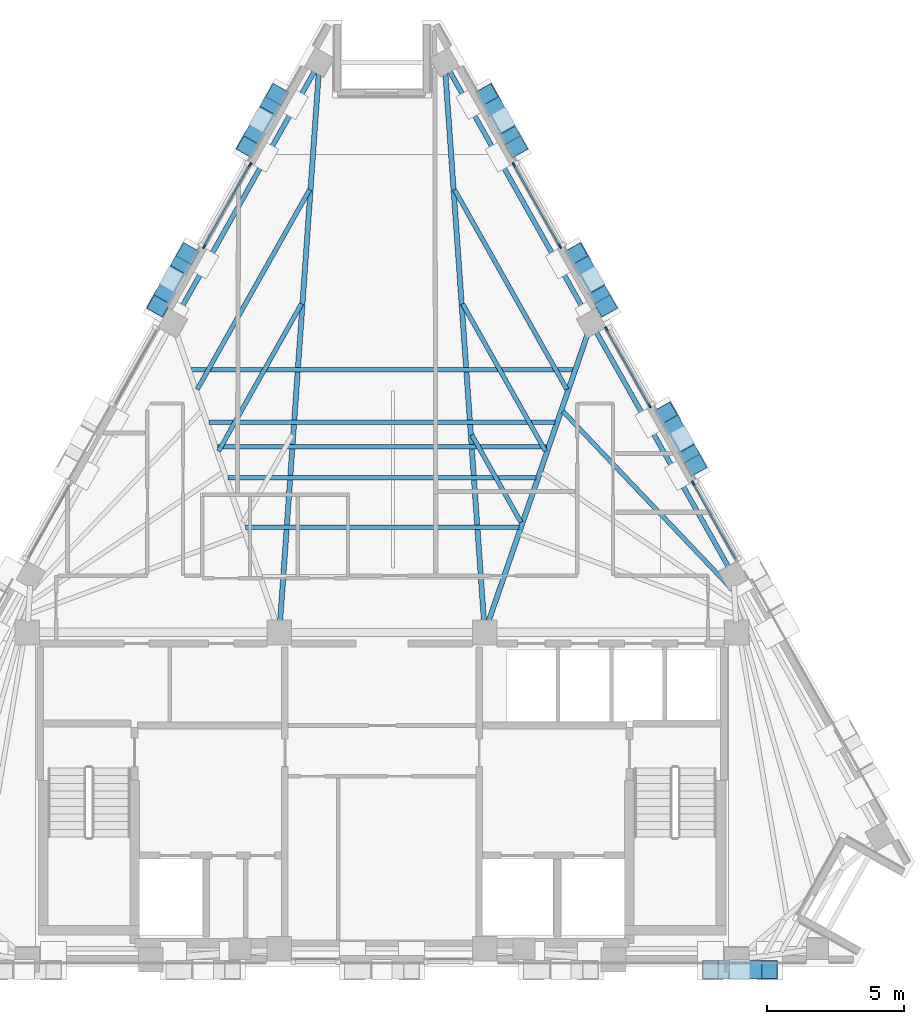
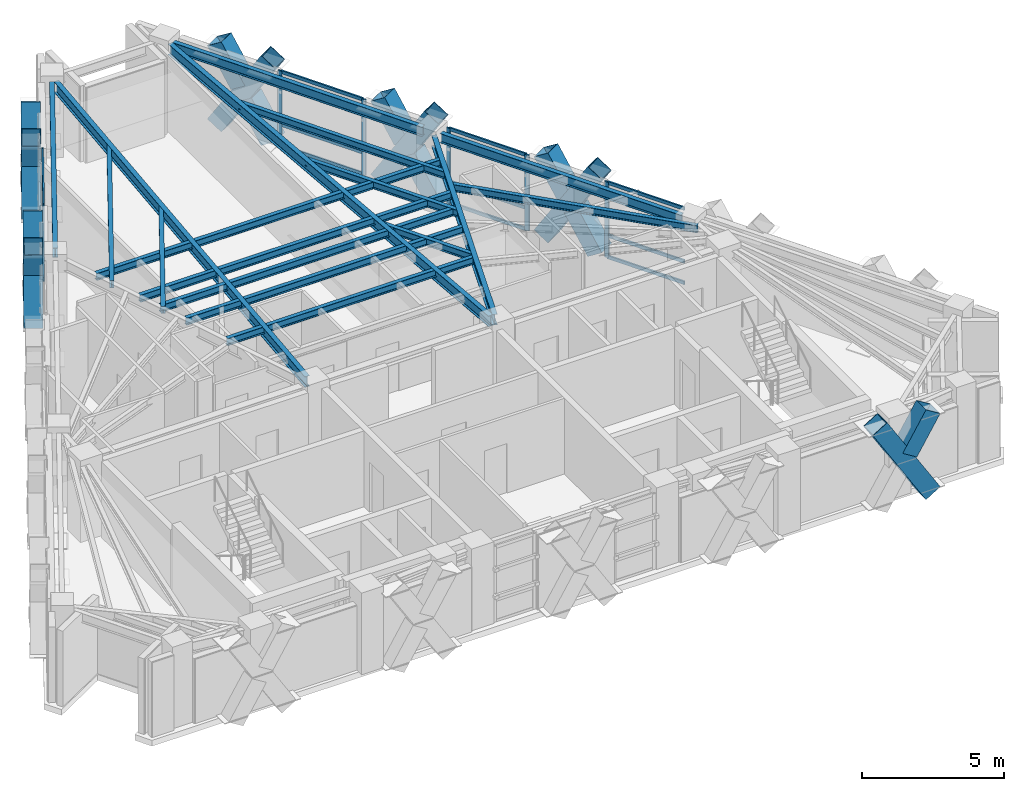
# One storey, part 4 of 11: 36 members, 17 beams, 4 elements without a shape of their own.
"""IFC4 building model written with IfcOpenShell, lengths in metres."""

from ifc_helpers import new_model, si_unit, direction, frame, origin, origin_2d, place, context, subcontext, project, spatial, rectangle, hollow_rectangle, i_section, extrude, material, material_profile, profile_set, type_object, element, aggregate, save


model = new_model("IFC4")

# Units and contexts
model_context = context("Model", 3, precision=1e-05, world=origin(), true_north=direction((0.0, 1.0)))
body_context = subcontext(model_context, "Body", "Model", "MODEL_VIEW")
ifc_project = project(units=[si_unit("LENGTHUNIT", "METRE"), si_unit("AREAUNIT", "SQUARE_METRE"), si_unit("VOLUMEUNIT", "CUBIC_METRE"), si_unit("PLANEANGLEUNIT", "RADIAN"), si_unit("MASSUNIT", "GRAM", prefix="KILO")], contexts=[model_context])

# Site, building, storey
site_placement = place(None, origin())
site = spatial("IfcSite", under=ifc_project, at=site_placement, CompositionType="ELEMENT")
building_placement = place(site_placement, origin())
building = spatial("IfcBuilding", under=site, at=building_placement, Name="Quenlor Broadcast Tower", CompositionType="ELEMENT")
storey_placement = place(building_placement, frame((0.0, 0.0, 263.89990234375)))
storey = spatial("IfcBuildingStorey", under=building, at=storey_placement, Name="L73", CompositionType="ELEMENT", Elevation=263.89990234375)

# Curtain wall, members
ifc_material_1 = material(Name="Architectural Terracotta and Low-E Glazing", Category="masonry")
curtain_wall_type = type_object("IfcCurtainWallType", Name="Unitised Terracotta Curtain Wall System Z5", PredefinedType="NOTDEFINED", material=ifc_material_1)
curtain_wall_1_placement = place(storey_placement, origin())
curtain_wall_1 = element("IfcCurtainWall", 1, at=curtain_wall_1_placement, inside=storey, type_object=curtain_wall_type, Name="L73 Curtain Wall CW5 (L73-NEA-G1)", PredefinedType="NOTDEFINED")
ifc_material_2 = material(Name="Aluminium 6063-T6", Category="aluminium")
ifc_material_profile_1 = material_profile(ifc_material_2, rectangle(XDim=0.06494140625, YDim=0.169921875, at=origin_2d()))
ifc_profile_set_1 = profile_set([ifc_material_profile_1], Name="Aluminium 6063-T6 MULL65x170")
member_type_1 = type_object("IfcMemberType", Name="CW5 Aluminium Mullion MULL_CW5", PredefinedType="MULLION", material=ifc_profile_set_1)
member_1_placement = place(storey_placement, frame((4.81787109375, 12.274169921875, 0.0), z_axis=(0.0, 0.0, 1.0), x_axis=(0.871581670563, 0.490250335582, 0.0)))
member_1 = element("IfcMember", 2, at=member_1_placement, type_object=member_type_1, Name="CW5 mullion 1", PredefinedType="MULLION", context=body_context, shape_type="SweptSolid", body=[
    extrude(rectangle(XDim=0.06494140625, YDim=0.169921875, at=origin_2d()), origin(), (0.0, 0.0, 1.0), 3.25),
])
member_2_placement = place(storey_placement, frame((6.49365234375, 9.294677734375, 0.0), z_axis=(0.0, 0.0, 1.0), x_axis=(0.871581670563, 0.490250335582, 0.0)))
member_2 = element("IfcMember", 3, at=member_2_placement, type_object=member_type_1, Name="CW5 mullion 2", PredefinedType="MULLION", context=body_context, shape_type="SweptSolid", body=[
    extrude(rectangle(XDim=0.06494140625, YDim=0.169921875, at=origin_2d()), origin(), (0.0, 0.0, 1.0), 3.25),
])

curtain_wall_2_placement = place(storey_placement, origin())
curtain_wall_2 = element("IfcCurtainWall", 4, at=curtain_wall_2_placement, inside=storey, type_object=curtain_wall_type, Name="L73 Curtain Wall CW5 (L73-NE-G1)", PredefinedType="NOTDEFINED")
member_3_placement = place(storey_placement, frame((8.190185546875, 6.27880859375, 0.0), z_axis=(0.0, 0.0, 1.0), x_axis=(0.871574721405, 0.490262689797, 0.0)))
member_3 = element("IfcMember", 5, at=member_3_placement, type_object=member_type_1, Name="CW5 mullion 1", PredefinedType="MULLION", context=body_context, shape_type="SweptSolid", body=[
    extrude(rectangle(XDim=0.06494140625, YDim=0.169921875, at=origin_2d()), origin(), (0.0, 0.0, 1.0), 3.25),
])
member_4_placement = place(storey_placement, frame((9.763427734375, 3.48193359375, 0.0), z_axis=(0.0, 0.0, 1.0), x_axis=(0.871574721405, 0.490262689797, 0.0)))
member_4 = element("IfcMember", 6, at=member_4_placement, type_object=member_type_1, Name="CW5 mullion 2", PredefinedType="MULLION", context=body_context, shape_type="SweptSolid", body=[
    extrude(rectangle(XDim=0.06494140625, YDim=0.169921875, at=origin_2d()), origin(), (0.0, 0.0, 1.0), 3.25),
])

# Curtain wall, member
curtain_wall_3_placement = place(storey_placement, origin())
curtain_wall_3 = element("IfcCurtainWall", 7, at=curtain_wall_3_placement, inside=storey, type_object=curtain_wall_type, Name="L73 Curtain Wall CW5 (L73-NE-G2)", PredefinedType="NOTDEFINED")
member_5_placement = place(storey_placement, frame((11.357177734375, 0.6484375, 0.0), z_axis=(0.0, 0.0, 1.0), x_axis=(0.871574721405, 0.490262689797, 0.0)))
member_5 = element("IfcMember", 8, at=member_5_placement, type_object=member_type_1, Name="CW5 mullion 1", PredefinedType="MULLION", context=body_context, shape_type="SweptSolid", body=[
    extrude(rectangle(XDim=0.06494140625, YDim=0.169921875, at=origin_2d()), origin(), (0.0, 0.0, 1.0), 3.25),
])

# Curtain wall, members
curtain_wall_4_placement = place(storey_placement, origin())
curtain_wall_4 = element("IfcCurtainWall", 9, at=curtain_wall_4_placement, inside=storey, type_object=curtain_wall_type, Name="L73 Curtain Wall CW5 (L73-NWC-G1)", PredefinedType="NOTDEFINED")
member_6_placement = place(storey_placement, frame((-6.49365234375, 9.294677734375, 0.0), z_axis=(0.0, 0.0, 1.0), x_axis=(-0.871581670563, 0.490250335582, 0.0)))
member_6 = element("IfcMember", 10, at=member_6_placement, type_object=member_type_1, Name="CW5 mullion 1", PredefinedType="MULLION", context=body_context, shape_type="SweptSolid", body=[
    extrude(rectangle(XDim=0.06494140625, YDim=0.169921875, at=origin_2d()), origin(), (0.0, 0.0, 1.0), 3.25),
])
member_7_placement = place(storey_placement, frame((-4.81787109375, 12.274169921875, 0.0), z_axis=(0.0, 0.0, 1.0), x_axis=(-0.871581670563, 0.490250335582, 0.0)))
member_7 = element("IfcMember", 11, at=member_7_placement, type_object=member_type_1, Name="CW5 mullion 2", PredefinedType="MULLION", context=body_context, shape_type="SweptSolid", body=[
    extrude(rectangle(XDim=0.06494140625, YDim=0.169921875, at=origin_2d()), origin(), (0.0, 0.0, 1.0), 3.25),
])

# Member
ifc_material_3 = material(Name="Aluminium 6063-T6", Category="aluminium")
ifc_material_profile_2 = material_profile(ifc_material_3, rectangle(XDim=0.06494140625, YDim=0.139892578125, at=origin_2d()))
ifc_profile_set_2 = profile_set([ifc_material_profile_2], Name="Aluminium 6063-T6 TRAN65x140")
member_type_2 = type_object("IfcMemberType", Name="CW5 Aluminium Transom TRAN_CW5", PredefinedType="USERDEFINED", material=ifc_profile_set_2)
member_8_placement = place(storey_placement, frame((4.833740234375, 12.245849609375, 0.03271484375), z_axis=(0.490247413707, -0.871583314063, 0.0), x_axis=(0.871583314063, 0.490247413707, 0.0)))
member_8 = element("IfcMember", 12, at=member_8_placement, type_object=member_type_2, Name="CW5 transom 1.1", ObjectType="TRANSOM", PredefinedType="USERDEFINED", context=body_context, shape_type="SweptSolid", body=[
    extrude(rectangle(XDim=0.06494140625, YDim=0.139892578125, at=origin_2d()), origin(), (0.0, 0.0, 1.0), 3.353515625),
])

member_9_placement = place(storey_placement, frame((4.833740234375, 12.245849609375, 0.9501953125), z_axis=(0.490247413707, -0.871583314063, 0.0), x_axis=(0.871583314063, 0.490247413707, 0.0)))
member_9 = element("IfcMember", 13, at=member_9_placement, type_object=member_type_2, Name="CW5 transom 1.2", ObjectType="TRANSOM", PredefinedType="USERDEFINED", context=body_context, shape_type="SweptSolid", body=[
    extrude(rectangle(XDim=0.06494140625, YDim=0.139892578125, at=origin_2d()), origin(), (0.0, 0.0, 1.0), 3.353515625),
])

member_10_placement = place(storey_placement, frame((4.833740234375, 12.245849609375, 3.217529296875), z_axis=(0.490247413707, -0.871583314063, 0.0), x_axis=(0.871583314063, 0.490247413707, 0.0)))
member_10 = element("IfcMember", 14, at=member_10_placement, type_object=member_type_2, Name="CW5 transom 1.3", ObjectType="TRANSOM", PredefinedType="USERDEFINED", context=body_context, shape_type="SweptSolid", body=[
    extrude(rectangle(XDim=0.06494140625, YDim=0.139892578125, at=origin_2d()), origin(), (0.0, 0.0, 1.0), 3.353515625),
])

aggregate(curtain_wall_1, [member_1, member_2, member_8, member_9, member_10])

member_11_placement = place(storey_placement, frame((8.2060546875, 6.25048828125, 0.03271484375), z_axis=(0.490231744535, -0.87159212746, 0.0), x_axis=(0.87159212746, 0.490231744535, 0.0)))
member_11 = element("IfcMember", 15, at=member_11_placement, type_object=member_type_2, Name="CW5 transom 1.1", ObjectType="TRANSOM", PredefinedType="USERDEFINED", context=body_context, shape_type="SweptSolid", body=[
    extrude(rectangle(XDim=0.06494140625, YDim=0.139892578125, at=origin_2d()), origin(), (0.0, 0.0, 1.0), 3.14404296875),
])

member_12_placement = place(storey_placement, frame((8.2060546875, 6.25048828125, 0.9501953125), z_axis=(0.490231744535, -0.87159212746, 0.0), x_axis=(0.87159212746, 0.490231744535, 0.0)))
member_12 = element("IfcMember", 16, at=member_12_placement, type_object=member_type_2, Name="CW5 transom 1.2", ObjectType="TRANSOM", PredefinedType="USERDEFINED", context=body_context, shape_type="SweptSolid", body=[
    extrude(rectangle(XDim=0.06494140625, YDim=0.139892578125, at=origin_2d()), origin(), (0.0, 0.0, 1.0), 3.14404296875),
])

member_13_placement = place(storey_placement, frame((8.2060546875, 6.25048828125, 3.217529296875), z_axis=(0.490231744535, -0.87159212746, 0.0), x_axis=(0.87159212746, 0.490231744535, 0.0)))
member_13 = element("IfcMember", 17, at=member_13_placement, type_object=member_type_2, Name="CW5 transom 1.3", ObjectType="TRANSOM", PredefinedType="USERDEFINED", context=body_context, shape_type="SweptSolid", body=[
    extrude(rectangle(XDim=0.06494140625, YDim=0.139892578125, at=origin_2d()), origin(), (0.0, 0.0, 1.0), 3.14404296875),
])

aggregate(curtain_wall_2, [member_3, member_4, member_11, member_12, member_13])

member_14_placement = place(storey_placement, frame((11.373046875, 0.6201171875, 0.03271484375), z_axis=(0.490290733046, -0.871558946422, 0.0), x_axis=(0.871558946422, 0.490290733046, 0.0)))
member_14 = element("IfcMember", 18, at=member_14_placement, type_object=member_type_2, Name="CW5 transom 1.1", ObjectType="TRANSOM", PredefinedType="USERDEFINED", context=body_context, shape_type="SweptSolid", body=[
    extrude(rectangle(XDim=0.06494140625, YDim=0.139892578125, at=origin_2d()), origin(), (0.0, 0.0, 1.0), 3.14404296875),
])

member_15_placement = place(storey_placement, frame((11.373046875, 0.6201171875, 0.9501953125), z_axis=(0.490290733046, -0.871558946422, 0.0), x_axis=(0.871558946422, 0.490290733046, 0.0)))
member_15 = element("IfcMember", 19, at=member_15_placement, type_object=member_type_2, Name="CW5 transom 1.2", ObjectType="TRANSOM", PredefinedType="USERDEFINED", context=body_context, shape_type="SweptSolid", body=[
    extrude(rectangle(XDim=0.06494140625, YDim=0.139892578125, at=origin_2d()), origin(), (0.0, 0.0, 1.0), 3.14404296875),
])

member_16_placement = place(storey_placement, frame((11.373046875, 0.6201171875, 3.217529296875), z_axis=(0.490290733046, -0.871558946422, 0.0), x_axis=(0.871558946422, 0.490290733046, 0.0)))
member_16 = element("IfcMember", 20, at=member_16_placement, type_object=member_type_2, Name="CW5 transom 1.3", ObjectType="TRANSOM", PredefinedType="USERDEFINED", context=body_context, shape_type="SweptSolid", body=[
    extrude(rectangle(XDim=0.06494140625, YDim=0.139892578125, at=origin_2d()), origin(), (0.0, 0.0, 1.0), 3.14404296875),
])

aggregate(curtain_wall_3, [member_5, member_14, member_15, member_16])

member_17_placement = place(storey_placement, frame((-6.477783203125, 9.322998046875, 0.03271484375), z_axis=(0.490247413707, 0.871583314063, 0.0), x_axis=(-0.871583314063, 0.490247413707, 0.0)))
member_17 = element("IfcMember", 21, at=member_17_placement, type_object=member_type_2, Name="CW5 transom 1.1", ObjectType="TRANSOM", PredefinedType="USERDEFINED", context=body_context, shape_type="SweptSolid", body=[
    extrude(rectangle(XDim=0.06494140625, YDim=0.139892578125, at=origin_2d()), origin(), (0.0, 0.0, 1.0), 3.353515625),
])

member_18_placement = place(storey_placement, frame((-6.477783203125, 9.322998046875, 0.9501953125), z_axis=(0.490247413707, 0.871583314063, 0.0), x_axis=(-0.871583314063, 0.490247413707, 0.0)))
member_18 = element("IfcMember", 22, at=member_18_placement, type_object=member_type_2, Name="CW5 transom 1.2", ObjectType="TRANSOM", PredefinedType="USERDEFINED", context=body_context, shape_type="SweptSolid", body=[
    extrude(rectangle(XDim=0.06494140625, YDim=0.139892578125, at=origin_2d()), origin(), (0.0, 0.0, 1.0), 3.353515625),
])

member_19_placement = place(storey_placement, frame((-6.477783203125, 9.322998046875, 3.217529296875), z_axis=(0.490247413707, 0.871583314063, 0.0), x_axis=(-0.871583314063, 0.490247413707, 0.0)))
member_19 = element("IfcMember", 23, at=member_19_placement, type_object=member_type_2, Name="CW5 transom 1.3", ObjectType="TRANSOM", PredefinedType="USERDEFINED", context=body_context, shape_type="SweptSolid", body=[
    extrude(rectangle(XDim=0.06494140625, YDim=0.139892578125, at=origin_2d()), origin(), (0.0, 0.0, 1.0), 3.353515625),
])

aggregate(curtain_wall_4, [member_6, member_7, member_17, member_18, member_19])

# Members
ifc_material_4 = material(Name="Steel S355", Category="steel")
ifc_material_profile_3 = material_profile(ifc_material_4, hollow_rectangle(XDim=0.679931640625, YDim=0.679931640625, WallThickness=0.02001953125, at=origin_2d()))
ifc_profile_set_3 = profile_set([ifc_material_profile_3], Name="Steel S355 RHS680x680x20")
member_type_3 = type_object("IfcMemberType", Name="Perimeter Diagonal Lattice Brace Z5-Crown Steel S355 RHS680x20", PredefinedType="BRACE", material=ifc_profile_set_3)
member_20_placement = place(storey_placement, frame((14.1396484375, -17.1201171875, -0.119873046875), z_axis=(-0.5236596973, 0.0, 0.851927532965), x_axis=(0.0, -1.0, 0.0)))
element("IfcMember", 24, at=member_20_placement, inside=storey, type_object=member_type_3, Name="L73 Perimeter Diamond Lattice S-C1XA", PredefinedType="BRACE", context=body_context, shape_type="SweptSolid", body=[
    extrude(hollow_rectangle(XDim=0.679931640625, YDim=0.679931640625, WallThickness=0.02001953125, at=origin_2d()), origin(), (0.0, 0.0, 1.0), 4.1083984375),
])
member_21_placement = place(storey_placement, frame((13.19482421875, -17.1201171875, 1.843017578125), z_axis=(0.523659478087, 0.0, 0.85192766771), x_axis=(0.0, 1.0, 0.0)))
element("IfcMember", 25, at=member_21_placement, inside=storey, type_object=member_type_3, Name="L73 Perimeter Diamond Lattice S-C1XB2", PredefinedType="BRACE", context=body_context, shape_type="SweptSolid", body=[
    extrude(hollow_rectangle(XDim=0.679931640625, YDim=0.679931640625, WallThickness=0.02001953125, at=origin_2d()), origin(), (0.0, 0.0, 1.0), 1.80419921875),
])
member_22_placement = place(storey_placement, frame((3.826904296875, 14.841552734375, -0.119873046875), z_axis=(0.260563732169, -0.463283497491, 0.847038926161), x_axis=(0.871602253711, 0.49021374045, 0.0)))
element("IfcMember", 26, at=member_22_placement, inside=storey, type_object=member_type_3, Name="L73 Perimeter Diamond Lattice NE-C1XA", PredefinedType="BRACE", context=body_context, shape_type="SweptSolid", body=[
    extrude(hollow_rectangle(XDim=0.679931640625, YDim=0.679931640625, WallThickness=0.02001953125, at=origin_2d()), origin(), (0.0, 0.0, 1.0), 4.132080078125),
])
member_23_placement = place(storey_placement, frame((4.903564453125, 12.92724609375, -0.119873046875), z_axis=(-0.260561174869, 0.463309498762, 0.847025491062), x_axis=(-0.871616063886, -0.490189185087, 0.0)))
element("IfcMember", 27, at=member_23_placement, inside=storey, type_object=member_type_3, Name="L73 Perimeter Diamond Lattice NE-C1XB1", PredefinedType="BRACE", context=body_context, shape_type="SweptSolid", body=[
    extrude(hollow_rectangle(XDim=0.679931640625, YDim=0.679931640625, WallThickness=0.02001953125, at=origin_2d()), origin(), (0.0, 0.0, 1.0), 1.81591796875),
])
member_24_placement = place(storey_placement, frame((4.300048828125, 14.000244140625, 1.841796875), z_axis=(-0.260531504538, 0.463256741299, 0.847063472701), x_axis=(-0.871616063886, -0.490189185087, 0.0)))
element("IfcMember", 28, at=member_24_placement, inside=storey, type_object=member_type_3, Name="L73 Perimeter Diamond Lattice NE-C1XB2", PredefinedType="BRACE", context=body_context, shape_type="SweptSolid", body=[
    extrude(hollow_rectangle(XDim=0.679931640625, YDim=0.679931640625, WallThickness=0.02001953125, at=origin_2d()), origin(), (0.0, 0.0, 1.0), 1.816162109375),
])
member_25_placement = place(storey_placement, frame((7.096435546875, 9.02880859375, -0.119873046875), z_axis=(0.260618804175, -0.463276364439, 0.847025884529), x_axis=(0.8715547569, 0.490298180422, 0.0)))
element("IfcMember", 29, at=member_25_placement, inside=storey, type_object=member_type_3, Name="L73 Perimeter Diamond Lattice NE-C2XA", PredefinedType="BRACE", context=body_context, shape_type="SweptSolid", body=[
    extrude(hollow_rectangle(XDim=0.679931640625, YDim=0.679931640625, WallThickness=0.02001953125, at=origin_2d()), origin(), (0.0, 0.0, 1.0), 4.132080078125),
])
member_26_placement = place(storey_placement, frame((8.17333984375, 7.114501953125, -0.119873046875), z_axis=(-0.26068648878, 0.463293264743, 0.846995811921), x_axis=(-0.871507987664, -0.490381308207, 0.0)))
element("IfcMember", 30, at=member_26_placement, inside=storey, type_object=member_type_3, Name="L73 Perimeter Diamond Lattice NE-C2XB1", PredefinedType="BRACE", context=body_context, shape_type="SweptSolid", body=[
    extrude(hollow_rectangle(XDim=0.679931640625, YDim=0.679931640625, WallThickness=0.02001953125, at=origin_2d()), origin(), (0.0, 0.0, 1.0), 1.81591796875),
])
member_27_placement = place(storey_placement, frame((7.56982421875, 8.1875, 1.841796875), z_axis=(-0.260656806259, 0.463240512825, 0.847033798988), x_axis=(-0.871507987664, -0.490381308207, 0.0)))
element("IfcMember", 31, at=member_27_placement, inside=storey, type_object=member_type_3, Name="L73 Perimeter Diamond Lattice NE-C2XB2", PredefinedType="BRACE", context=body_context, shape_type="SweptSolid", body=[
    extrude(hollow_rectangle(XDim=0.679931640625, YDim=0.679931640625, WallThickness=0.02001953125, at=origin_2d()), origin(), (0.0, 0.0, 1.0), 1.816162109375),
])
member_28_placement = place(storey_placement, frame((10.3662109375, 3.216064453125, -0.119873046875), z_axis=(0.260618804175, -0.463276364439, 0.847025884529), x_axis=(0.8715547569, 0.490298180422, 0.0)))
element("IfcMember", 32, at=member_28_placement, inside=storey, type_object=member_type_3, Name="L73 Perimeter Diamond Lattice NE-C3XA", PredefinedType="BRACE", context=body_context, shape_type="SweptSolid", body=[
    extrude(hollow_rectangle(XDim=0.679931640625, YDim=0.679931640625, WallThickness=0.02001953125, at=origin_2d()), origin(), (0.0, 0.0, 1.0), 4.132080078125),
])
member_29_placement = place(storey_placement, frame((11.443115234375, 1.3017578125, -0.119873046875), z_axis=(-0.26068648878, 0.463293264743, 0.846995811921), x_axis=(-0.871507987664, -0.490381308207, 0.0)))
element("IfcMember", 33, at=member_29_placement, inside=storey, type_object=member_type_3, Name="L73 Perimeter Diamond Lattice NE-C3XB1", PredefinedType="BRACE", context=body_context, shape_type="SweptSolid", body=[
    extrude(hollow_rectangle(XDim=0.679931640625, YDim=0.679931640625, WallThickness=0.02001953125, at=origin_2d()), origin(), (0.0, 0.0, 1.0), 1.81591796875),
])
member_30_placement = place(storey_placement, frame((10.839599609375, 2.374755859375, 1.841796875), z_axis=(-0.260656806259, 0.463240512825, 0.847033798988), x_axis=(-0.871507987664, -0.490381308207, 0.0)))
element("IfcMember", 34, at=member_30_placement, inside=storey, type_object=member_type_3, Name="L73 Perimeter Diamond Lattice NE-C3XB2", PredefinedType="BRACE", context=body_context, shape_type="SweptSolid", body=[
    extrude(hollow_rectangle(XDim=0.679931640625, YDim=0.679931640625, WallThickness=0.02001953125, at=origin_2d()), origin(), (0.0, 0.0, 1.0), 1.816162109375),
])
member_31_placement = place(storey_placement, frame((-8.17333984375, 7.114501953125, -0.119873046875), z_axis=(0.260618804175, 0.463276364439, 0.847025884529), x_axis=(-0.8715547569, 0.490298180422, 0.0)))
element("IfcMember", 35, at=member_31_placement, inside=storey, type_object=member_type_3, Name="L73 Perimeter Diamond Lattice NW-C4XA", PredefinedType="BRACE", context=body_context, shape_type="SweptSolid", body=[
    extrude(hollow_rectangle(XDim=0.679931640625, YDim=0.679931640625, WallThickness=0.02001953125, at=origin_2d()), origin(), (0.0, 0.0, 1.0), 4.132080078125),
])
member_32_placement = place(storey_placement, frame((-7.096435546875, 9.02880859375, -0.119873046875), z_axis=(-0.26068648878, -0.463293264743, 0.846995811921), x_axis=(0.871507987664, -0.490381308207, 0.0)))
element("IfcMember", 36, at=member_32_placement, inside=storey, type_object=member_type_3, Name="L73 Perimeter Diamond Lattice NW-C4XB1", PredefinedType="BRACE", context=body_context, shape_type="SweptSolid", body=[
    extrude(hollow_rectangle(XDim=0.679931640625, YDim=0.679931640625, WallThickness=0.02001953125, at=origin_2d()), origin(), (0.0, 0.0, 1.0), 1.81591796875),
])
member_33_placement = place(storey_placement, frame((-7.699951171875, 7.955810546875, 1.841796875), z_axis=(-0.260656806259, -0.463240512825, 0.847033798988), x_axis=(0.871507987664, -0.490381308207, 0.0)))
element("IfcMember", 37, at=member_33_placement, inside=storey, type_object=member_type_3, Name="L73 Perimeter Diamond Lattice NW-C4XB2", PredefinedType="BRACE", context=body_context, shape_type="SweptSolid", body=[
    extrude(hollow_rectangle(XDim=0.679931640625, YDim=0.679931640625, WallThickness=0.02001953125, at=origin_2d()), origin(), (0.0, 0.0, 1.0), 1.816162109375),
])
member_34_placement = place(storey_placement, frame((-4.903564453125, 12.92724609375, -0.119873046875), z_axis=(0.260563732169, 0.463283497491, 0.847038926161), x_axis=(-0.871602253711, 0.49021374045, 0.0)))
element("IfcMember", 38, at=member_34_placement, inside=storey, type_object=member_type_3, Name="L73 Perimeter Diamond Lattice NW-C5XA", PredefinedType="BRACE", context=body_context, shape_type="SweptSolid", body=[
    extrude(hollow_rectangle(XDim=0.679931640625, YDim=0.679931640625, WallThickness=0.02001953125, at=origin_2d()), origin(), (0.0, 0.0, 1.0), 4.132080078125),
])
member_35_placement = place(storey_placement, frame((-3.826904296875, 14.841552734375, -0.119873046875), z_axis=(-0.260561174869, -0.463309498762, 0.847025491062), x_axis=(0.871616063886, -0.490189185087, 0.0)))
element("IfcMember", 39, at=member_35_placement, inside=storey, type_object=member_type_3, Name="L73 Perimeter Diamond Lattice NW-C5XB1", PredefinedType="BRACE", context=body_context, shape_type="SweptSolid", body=[
    extrude(hollow_rectangle(XDim=0.679931640625, YDim=0.679931640625, WallThickness=0.02001953125, at=origin_2d()), origin(), (0.0, 0.0, 1.0), 1.81591796875),
])
member_36_placement = place(storey_placement, frame((-4.430419921875, 13.7685546875, 1.841796875), z_axis=(-0.260531504538, -0.463256741299, 0.847063472701), x_axis=(0.871616063886, -0.490189185087, 0.0)))
element("IfcMember", 40, at=member_36_placement, inside=storey, type_object=member_type_3, Name="L73 Perimeter Diamond Lattice NW-C5XB2", PredefinedType="BRACE", context=body_context, shape_type="SweptSolid", body=[
    extrude(hollow_rectangle(XDim=0.679931640625, YDim=0.679931640625, WallThickness=0.02001953125, at=origin_2d()), origin(), (0.0, 0.0, 1.0), 1.816162109375),
])

# Beams
ifc_material_5 = material(Name="Steel S355", Category="steel")
ifc_material_profile_4 = material_profile(ifc_material_5, i_section(OverallWidth=0.177978515625, OverallDepth=0.406494140625, WebThickness=0.0078125, FlangeThickness=0.0126953125, FilletRadius=0.011474609375, at=origin_2d()))
ifc_profile_set_4 = profile_set([ifc_material_profile_4], Name="Steel S355 410UB59.7")
beam_type_1 = type_object("IfcBeamType", Name="Perimeter Spandrel Beam Z5 Steel S355 410UB59.7", PredefinedType="SPANDREL", material=ifc_profile_set_4)
beam_1_placement = place(storey_placement, frame((12.64892578125, -2.412841796875, 3.046875), z_axis=(-0.49024947634, 0.871582153872, 0.0), x_axis=(-0.871582153872, -0.49024947634, 0.0)))
element("IfcBeam", 41, at=beam_1_placement, inside=storey, type_object=beam_type_1, Name="L73 Spandrel Beam NE2-NE3", PredefinedType="SPANDREL", context=body_context, shape_type="SweptSolid", body=[
    extrude(i_section(OverallWidth=0.177978515625, OverallDepth=0.406494140625, WebThickness=0.0078125, FlangeThickness=0.0126953125, FilletRadius=0.011474609375, at=origin_2d()), origin(), (0.0, 0.0, 1.0), 9.853759765625),
])
for number, where, z_axis, x_axis, name in (
    (42, (7.465087890625, 6.802978515625, 3.046875), (-0.490264646634, 0.871573620677, 0.0), (-0.871573620677, -0.490264646634, 0.0), "L73 Spandrel Beam NE3-NE4"),
    (43, (-2.461181640625, 15.69873046875, 3.046875), (-0.490264646634, -0.871573620677, 0.0), (0.871573620677, -0.490264646634, 0.0), "L73 Spandrel Beam NW1-NW2"),
):
    element("IfcBeam", number, at=place(storey_placement, frame(where, z_axis=z_axis, x_axis=x_axis)), inside=storey, type_object=beam_type_1, Name=name, PredefinedType="SPANDREL", context=body_context, shape_type="SweptSolid", body=[
        extrude(i_section(OverallWidth=0.177978515625, OverallDepth=0.406494140625, WebThickness=0.0078125, FlangeThickness=0.0126953125, FilletRadius=0.011474609375, at=origin_2d()), origin(), (0.0, 0.0, 1.0), 10.20654296875),
    ])
ifc_material_6 = material(Name="Steel S355", Category="steel")
ifc_material_profile_5 = material_profile(ifc_material_6, i_section(OverallWidth=0.166015625, OverallDepth=0.30712890625, WebThickness=0.006591796875, FlangeThickness=0.01171875, FilletRadius=0.011474609375, at=origin_2d()))
ifc_profile_set_5 = profile_set([ifc_material_profile_5], Name="Steel S355 310UB46.2")
beam_type_2 = type_object("IfcBeamType", Name="Tower Composite Joist Z4-Z5 Steel S355 310UB46.2", PredefinedType="JOIST", material=ifc_profile_set_5)
beam_2_placement = place(storey_placement, frame((-6.0048828125, 1.9736328125, 3.096435546875), z_axis=(1.0, 0.0, 0.0), x_axis=(0.0, 1.0, 0.0)))
element("IfcBeam", 44, at=beam_2_placement, inside=storey, type_object=beam_type_2, Name="L73 Secondary Composite Joist 2", PredefinedType="JOIST", context=body_context, shape_type="SweptSolid", body=[
    extrude(i_section(OverallWidth=0.166015625, OverallDepth=0.30712890625, WebThickness=0.006591796875, FlangeThickness=0.01171875, FilletRadius=0.011474609375, at=origin_2d()), origin(), (0.0, 0.0, 1.0), 12.009765625),
])
beam_3_placement = place(storey_placement, frame((-4.9931640625, -0.961669921875, 3.096435546875), z_axis=(1.0, 0.0, 0.0), x_axis=(0.0, 1.0, 0.0)))
element("IfcBeam", 45, at=beam_3_placement, inside=storey, type_object=beam_type_2, Name="L73 Secondary Composite Joist 3", PredefinedType="JOIST", context=body_context, shape_type="SweptSolid", body=[
    extrude(i_section(OverallWidth=0.166015625, OverallDepth=0.30712890625, WebThickness=0.006591796875, FlangeThickness=0.01171875, FilletRadius=0.011474609375, at=origin_2d()), origin(), (0.0, 0.0, 1.0), 9.986328125),
])
beam_4_placement = place(storey_placement, frame((-5.61572265625, 0.8447265625, 3.096435546875), z_axis=(1.0, 0.0, 0.0), x_axis=(0.0, 1.0, 0.0)))
element("IfcBeam", 46, at=beam_4_placement, inside=storey, type_object=beam_type_2, Name="L73 Secondary Composite Joist 4", PredefinedType="JOIST", context=body_context, shape_type="SweptSolid", body=[
    extrude(i_section(OverallWidth=0.166015625, OverallDepth=0.30712890625, WebThickness=0.006591796875, FlangeThickness=0.01171875, FilletRadius=0.011474609375, at=origin_2d()), origin(), (0.0, 0.0, 1.0), 11.2314453125),
])
beam_5_placement = place(storey_placement, frame((-6.316162109375, 2.876708984375, 3.096435546875), z_axis=(1.0, 0.0, 0.0), x_axis=(0.0, 1.0, 0.0)))
element("IfcBeam", 47, at=beam_5_placement, inside=storey, type_object=beam_type_2, Name="L73 Secondary Composite Joist 5", PredefinedType="JOIST", context=body_context, shape_type="SweptSolid", body=[
    extrude(i_section(OverallWidth=0.166015625, OverallDepth=0.30712890625, WebThickness=0.006591796875, FlangeThickness=0.01171875, FilletRadius=0.011474609375, at=origin_2d()), origin(), (0.0, 0.0, 1.0), 12.63232421875),
])
beam_6_placement = place(storey_placement, frame((-6.977783203125, 4.7958984375, 3.096435546875), z_axis=(1.0, 0.0, 0.0), x_axis=(0.0, 1.0, 0.0)))
element("IfcBeam", 48, at=beam_6_placement, inside=storey, type_object=beam_type_2, Name="L73 Secondary Composite Joist 6", PredefinedType="JOIST", context=body_context, shape_type="SweptSolid", body=[
    extrude(i_section(OverallWidth=0.166015625, OverallDepth=0.30712890625, WebThickness=0.006591796875, FlangeThickness=0.01171875, FilletRadius=0.011474609375, at=origin_2d()), origin(), (0.0, 0.0, 1.0), 13.95556640625),
])
beam_7_placement = place(storey_placement, frame((12.80517578125, -3.249267578125, 3.096435546875), z_axis=(-0.689023306429, 0.724739182877, 0.0), x_axis=(-0.724739182877, -0.689023306429, 0.0)))
element("IfcBeam", 49, at=beam_7_placement, inside=storey, type_object=beam_type_2, Name="L73 Secondary Composite Joist 12", PredefinedType="JOIST", context=body_context, shape_type="SweptSolid", body=[
    extrude(i_section(OverallWidth=0.166015625, OverallDepth=0.30712890625, WebThickness=0.006591796875, FlangeThickness=0.01171875, FilletRadius=0.011474609375, at=origin_2d()), origin(), (0.0, 0.0, 1.0), 8.99560546875),
])
beam_8_placement = place(storey_placement, frame((-2.939208984375, 7.201416015625, 3.096435546875), z_axis=(-0.490266868828, -0.871572370678, 0.0), x_axis=(0.871572370678, -0.490266868828, 0.0)))
element("IfcBeam", 50, at=beam_8_placement, inside=storey, type_object=beam_type_2, Name="L73 Secondary Composite Joist 26", PredefinedType="JOIST", context=body_context, shape_type="SweptSolid", body=[
    extrude(i_section(OverallWidth=0.166015625, OverallDepth=0.30712890625, WebThickness=0.006591796875, FlangeThickness=0.01171875, FilletRadius=0.011474609375, at=origin_2d()), origin(), (0.0, 0.0, 1.0), 6.177490234375),
])
beam_9_placement = place(storey_placement, frame((-2.646240234375, 11.364013671875, 3.096435546875), z_axis=(-0.490264011812, -0.871573977768, 0.0), x_axis=(0.871573977768, -0.490264011812, 0.0)))
element("IfcBeam", 51, at=beam_9_placement, inside=storey, type_object=beam_type_2, Name="L73 Secondary Composite Joist 27", PredefinedType="JOIST", context=body_context, shape_type="SweptSolid", body=[
    extrude(i_section(OverallWidth=0.166015625, OverallDepth=0.30712890625, WebThickness=0.006591796875, FlangeThickness=0.01171875, FilletRadius=0.011474609375, at=origin_2d()), origin(), (0.0, 0.0, 1.0), 8.362548828125),
])
beam_10_placement = place(storey_placement, frame((3.2763671875, 2.41455078125, 3.096435546875), z_axis=(0.490258076222, -0.871577316535, 0.0), x_axis=(0.871577316535, 0.490258076222, 0.0)))
element("IfcBeam", 52, at=beam_10_placement, inside=storey, type_object=beam_type_2, Name="L73 Secondary Composite Joist 28", PredefinedType="JOIST", context=body_context, shape_type="SweptSolid", body=[
    extrude(i_section(OverallWidth=0.166015625, OverallDepth=0.30712890625, WebThickness=0.006591796875, FlangeThickness=0.01171875, FilletRadius=0.011474609375, at=origin_2d()), origin(), (0.0, 0.0, 1.0), 3.6640625),
])
beam_11_placement = place(storey_placement, frame((2.939208984375, 7.201416015625, 3.096435546875), z_axis=(0.490266868828, -0.871572370678, 0.0), x_axis=(0.871572370678, 0.490266868828, 0.0)))
element("IfcBeam", 53, at=beam_11_placement, inside=storey, type_object=beam_type_2, Name="L73 Secondary Composite Joist 29", PredefinedType="JOIST", context=body_context, shape_type="SweptSolid", body=[
    extrude(i_section(OverallWidth=0.166015625, OverallDepth=0.30712890625, WebThickness=0.006591796875, FlangeThickness=0.01171875, FilletRadius=0.011474609375, at=origin_2d()), origin(), (0.0, 0.0, 1.0), 6.177490234375),
])
beam_12_placement = place(storey_placement, frame((2.646240234375, 11.364013671875, 3.096435546875), z_axis=(0.490264011812, -0.871573977768, 0.0), x_axis=(0.871573977768, 0.490264011812, 0.0)))
element("IfcBeam", 54, at=beam_12_placement, inside=storey, type_object=beam_type_2, Name="L73 Secondary Composite Joist 30", PredefinedType="JOIST", context=body_context, shape_type="SweptSolid", body=[
    extrude(i_section(OverallWidth=0.166015625, OverallDepth=0.30712890625, WebThickness=0.006591796875, FlangeThickness=0.01171875, FilletRadius=0.011474609375, at=origin_2d()), origin(), (0.0, 0.0, 1.0), 8.362548828125),
])
ifc_material_7 = material(Name="Steel S355", Category="steel")
ifc_material_profile_6 = material_profile(ifc_material_7, i_section(OverallWidth=0.19091796875, OverallDepth=0.46044921875, WebThickness=0.010009765625, FlangeThickness=0.01611328125, FilletRadius=0.011474609375, at=origin_2d()))
ifc_profile_set_6 = profile_set([ifc_material_profile_6], Name="Steel S355 460UB82.1")
beam_type_3 = type_object("IfcBeamType", Name="Tower Primary Floor Beam Z5 Steel S355 460UB82.1", PredefinedType="BEAM", material=ifc_profile_set_6)
beam_13_placement = place(storey_placement, frame((7.524169921875, 6.14892578125, 3.02001953125), z_axis=(-0.325895297662, -0.945405867848, 0.0), x_axis=(0.945405867848, -0.325895297662, 0.0)))
element("IfcBeam", 55, at=beam_13_placement, inside=storey, type_object=beam_type_3, Name="L73 Primary Radial Beam NE3", PredefinedType="BEAM", context=body_context, shape_type="SweptSolid", body=[
    extrude(i_section(OverallWidth=0.19091796875, OverallDepth=0.46044921875, WebThickness=0.010009765625, FlangeThickness=0.01611328125, FilletRadius=0.011474609375, at=origin_2d()), origin(), (0.0, 0.0, 1.0), 11.201171875),
])
for number, where, z_axis, x_axis, name in (
    (56, (2.31005859375, 15.6533203125, 3.02001953125), (0.070231384782, -0.997530727643, 0.0), (0.997530727643, 0.070231384782, 0.0), "L73 Primary Radial Beam NE4"),
    (57, (-2.31005859375, 15.6533203125, 3.02001953125), (-0.070231384782, -0.997530727643, 0.0), (0.997530727643, -0.070231384782, 0.0), "L73 Primary Radial Beam NW1"),
):
    element("IfcBeam", number, at=place(storey_placement, frame(where, z_axis=z_axis, x_axis=x_axis)), inside=storey, type_object=beam_type_3, Name=name, PredefinedType="BEAM", context=body_context, shape_type="SweptSolid", body=[
        extrude(i_section(OverallWidth=0.19091796875, OverallDepth=0.46044921875, WebThickness=0.010009765625, FlangeThickness=0.01611328125, FilletRadius=0.011474609375, at=origin_2d()), origin(), (0.0, 0.0, 1.0), 20.1240234375),
    ])

save(model, "model.ifc")
